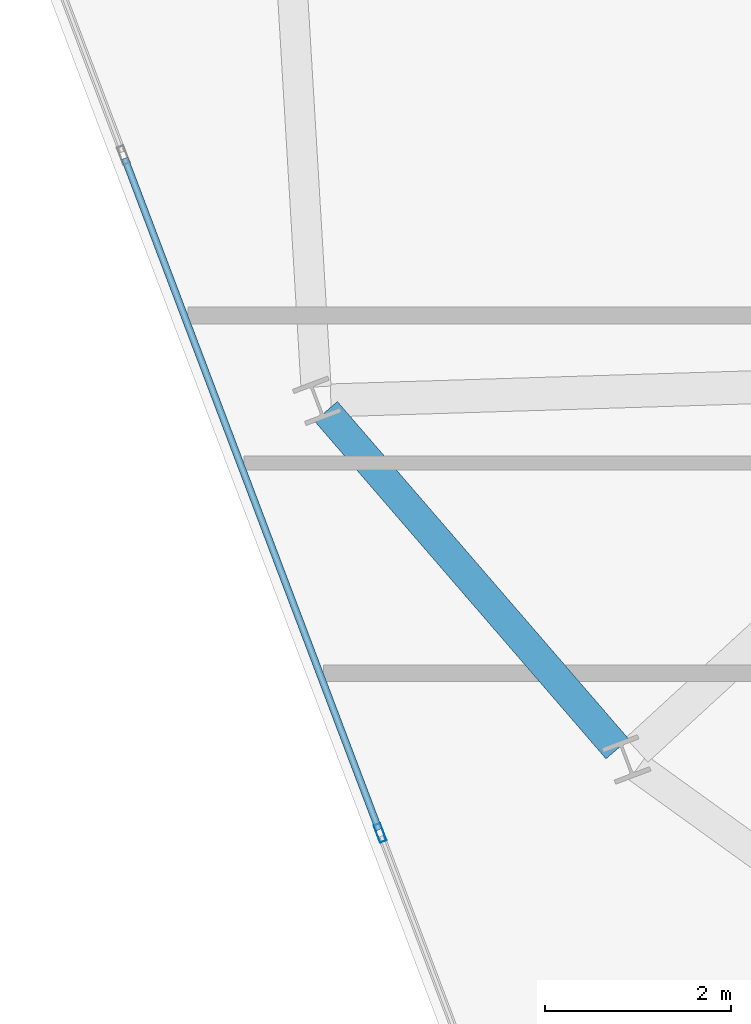
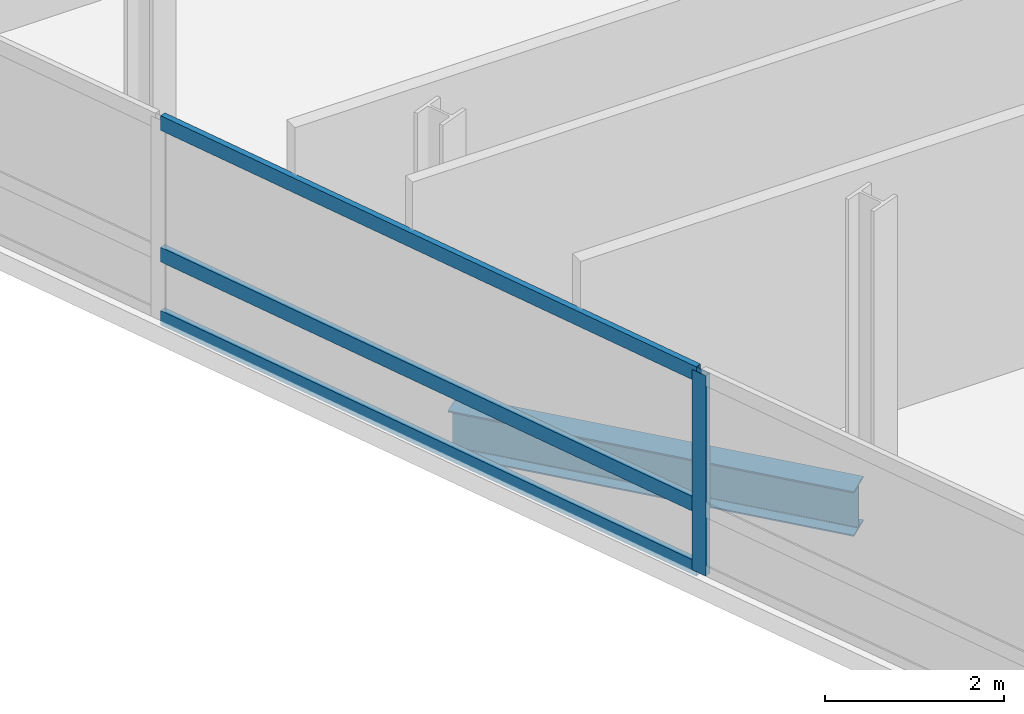
# One storey, part 5 of 19: 4 members, 1 beam, 1 element without a shape of its own.
"""IFC4 building model written with IfcOpenShell, lengths in metres."""

import ifcopenshell
import ifcopenshell.guid

model = None  # the IFC model being written
_history = None  # IfcOwnerHistory: only IFC2X3 demands one
_inside = {}  # id of a spatial element -> (the spatial element, [elements in it])
_under = {}  # id of a project, library or spatial element -> (it, [spatial elements below it])
_declared = {}  # id of a project -> (the project, [libraries it declares])
_typed = {}  # id of a type object -> (the type object, [elements of that type])
_made_of = {}  # id of a material, layer set ... -> (it, [elements and type objects made of it])


def new_model(schema):
    """Start an empty IFC model of exactly this schema.

    Asked for "IFC4X3", IfcOpenShell would pick the latest addendum, in which some entities
    have other attributes; the version numbers below select the first issue.
    IFC2X3 requires an IfcOwnerHistory on every rooted entity: one is made here for all.
    """
    global model, _history
    if schema == "IFC4X3":
        model = ifcopenshell.file(schema_version=(4, 3, 0, 0))
    else:
        model = ifcopenshell.file(schema=schema)
    _inside.clear()
    _under.clear()
    _declared.clear()
    _typed.clear()
    _made_of.clear()
    _history = None
    if model.schema == "IFC2X3":
        org = make("IfcOrganization", Name="unknown")
        user = make(
            "IfcPersonAndOrganization",
            ThePerson=make("IfcPerson", FamilyName="unknown"),
            TheOrganization=org,
        )
        app = make(
            "IfcApplication",
            ApplicationDeveloper=org,
            Version="unknown",
            ApplicationFullName="unknown",
            ApplicationIdentifier="unknown",
        )
        _history = make(
            "IfcOwnerHistory",
            OwningUser=user,
            OwningApplication=app,
            ChangeAction="ADDED",
            CreationDate=0,
        )
    return model


def make(cls, **values):
    """One entity of the class cls with the attributes given. An attribute that is None is left unset."""
    return model.create_entity(
        cls, **{name: value for name, value in values.items() if value is not None}
    )


def rooted(cls, **values):
    """An entity with a GlobalId (a new one), such as an element, a storey or a relation."""
    return make(cls, GlobalId=ifcopenshell.guid.new(), OwnerHistory=_history, **values)


def si_unit(unit_type, name, prefix=None):
    """IfcSIUnit, for example si_unit("LENGTHUNIT", "METRE", prefix="MILLI")."""
    return make("IfcSIUnit", UnitType=unit_type, Prefix=prefix, Name=name)


def assignment(units):
    """IfcUnitAssignment: the units of a project."""
    return None if units is None else make("IfcUnitAssignment", Units=units)


def point(xyz):
    """IfcCartesianPoint."""
    return None if xyz is None else make("IfcCartesianPoint", Coordinates=xyz)


def direction(xyz):
    """IfcDirection."""
    return None if xyz is None else make("IfcDirection", DirectionRatios=xyz)


def frame(location, z_axis=None, x_axis=None):
    """IfcAxis2Placement3D, a coordinate frame: its origin and axes. An axis left out is left unset."""
    return make(
        "IfcAxis2Placement3D",
        Location=point(location),
        Axis=direction(z_axis),
        RefDirection=direction(x_axis),
    )


def frame_2d(location, x_axis=None):
    """IfcAxis2Placement2D, a coordinate frame in the plane: its origin and x axis."""
    return make(
        "IfcAxis2Placement2D", Location=point(location), RefDirection=direction(x_axis)
    )


def origin():
    """The frame at (0, 0, 0) with its axes left unset."""
    return frame((0.0, 0.0, 0.0))


def origin_2d():
    """The frame at (0, 0) in the plane with its x axis left unset."""
    return frame_2d((0.0, 0.0))


def place(relative_to, where):
    """IfcLocalPlacement: puts the frame where relative to a parent placement (None: the world)."""
    return make(
        "IfcLocalPlacement", PlacementRelTo=relative_to, RelativePlacement=where
    )


def context(
    kind, dimensions, precision=None, world=None, true_north=None, identifier=None
):
    """IfcGeometricRepresentationContext, for example the 3D "Model" context."""
    return make(
        "IfcGeometricRepresentationContext",
        ContextIdentifier=identifier,
        ContextType=kind,
        CoordinateSpaceDimension=dimensions,
        Precision=precision,
        WorldCoordinateSystem=world,
        TrueNorth=true_north,
    )


def subcontext(parent, identifier, kind, view, scale=None):
    """IfcGeometricRepresentationSubContext, for example "Body" below "Model"."""
    return make(
        "IfcGeometricRepresentationSubContext",
        ContextIdentifier=identifier,
        ContextType=kind,
        ParentContext=parent,
        TargetScale=scale,
        TargetView=view,
    )


def project(units=None, contexts=None):
    """IfcProject with its units and contexts."""
    return rooted(
        "IfcProject",
        Name="project",
        RepresentationContexts=contexts,
        UnitsInContext=assignment(units),
    )


def spatial(cls, under=None, at=None, **own):
    """A site, building, storey or space (cls), placed at a placement, below another one or the project."""
    s = rooted(cls, ObjectPlacement=at, **own)
    if under is not None:
        _under.setdefault(under.id(), (under, []))[1].append(s)
    return s


def profile(cls, at=None, kind="AREA", **sizes):
    """A parametric profile (cls). Its sizes go by their IFC names, for example OverallWidth=200.0."""
    return make(cls, ProfileType=kind, Position=at, **sizes)


def hollow_rectangle(**sizes):
    """IfcRectangleHollowProfileDef."""
    return profile("IfcRectangleHollowProfileDef", **sizes)


def i_section(**sizes):
    """IfcIShapeProfileDef."""
    return profile("IfcIShapeProfileDef", **sizes)


def extrude(swept, where, along, depth):
    """IfcExtrudedAreaSolid: the profile swept, set in the frame where, extruded along a direction by depth."""
    return make(
        "IfcExtrudedAreaSolid",
        SweptArea=swept,
        Position=where,
        ExtrudedDirection=direction(along),
        Depth=depth,
    )


def shape(context_of_items, identifier, shape_type, items):
    """IfcShapeRepresentation: the items that make up one representation, for example the "Body"."""
    return make(
        "IfcShapeRepresentation",
        ContextOfItems=context_of_items,
        RepresentationIdentifier=identifier,
        RepresentationType=shape_type,
        Items=items,
    )


def material(Name=None, Category=None):
    """IfcMaterial."""
    return make("IfcMaterial", Name=Name, Category=Category)


def layer(
    of_material, thickness, ventilated=None, Name=None, Category=None, Priority=None
):
    """IfcMaterialLayer: one layer of a wall or slab, of a material (None: an air gap)."""
    return make(
        "IfcMaterialLayer",
        Material=of_material,
        LayerThickness=thickness,
        IsVentilated=ventilated,
        Name=Name,
        Category=Category,
        Priority=Priority,
    )


def layer_set(layers, Name=None):
    """IfcMaterialLayerSet."""
    return make("IfcMaterialLayerSet", MaterialLayers=layers, LayerSetName=Name)


def material_profile(
    of_material, cross_section, Name=None, Category=None, Priority=None
):
    """IfcMaterialProfile: a cross section and its material."""
    return make(
        "IfcMaterialProfile",
        Name=Name,
        Material=of_material,
        Profile=cross_section,
        Priority=Priority,
        Category=Category,
    )


def profile_set(profiles, Name=None, composite=None):
    """IfcMaterialProfileSet."""
    return make(
        "IfcMaterialProfileSet",
        Name=Name,
        MaterialProfiles=profiles,
        CompositeProfile=composite,
    )


def made_of(thing, what):
    """Note that an element or type object is made of a material, layer set ...; save() writes the relation."""
    if what is not None:
        _made_of.setdefault(what.id(), (what, []))[1].append(thing)
    return thing


def type_object(cls, material=None, **own):
    """A type object (cls), such as IfcWallType, which elements share."""
    return made_of(rooted(cls, **own), material)


def element(
    cls,
    number,
    at=None,
    inside=None,
    cuts=None,
    type_object=None,
    material=None,
    context=None,
    identifier="Body",
    shape_type=None,
    held_by="IfcProductDefinitionShape",
    body=None,
    shapes=None,
    **own,
):
    """One element of the class cls, such as IfcWall. Its Tag is "e" and its number.

    at: its placement. inside: the storey or other place that contains it. cuts: it is an
    opening in that element (IfcRelVoidsElement). A single representation is given by context,
    identifier, shape_type and body (its items); several are given by shapes. held_by: the class
    of the entity that holds the representations. save() writes the other relations.
    """
    e = rooted(cls, Tag="e%d" % number, ObjectPlacement=at, **own)
    if body is not None:
        shapes = [shape(context, identifier, shape_type, body)]
    if shapes is not None:
        e.Representation = make(held_by, Representations=shapes)
    if inside is not None:
        _inside.setdefault(inside.id(), (inside, []))[1].append(e)
    if cuts is not None:
        rooted(
            "IfcRelVoidsElement", RelatingBuildingElement=cuts, RelatedOpeningElement=e
        )
    if type_object is not None:
        _typed.setdefault(type_object.id(), (type_object, []))[1].append(e)
    return made_of(e, material)


def aggregate(whole, parts):
    """IfcRelAggregates: a whole, such as a stair, and the parts it consists of."""
    return rooted("IfcRelAggregates", RelatingObject=whole, RelatedObjects=parts)


def save(model, path):
    """Write the relations noted so far, then the file.

    IfcRelAggregates (storeys below a building ...), IfcRelContainedInSpatialStructure (elements
    in a storey), IfcRelDefinesByType, IfcRelAssociatesMaterial and IfcRelDeclares: one each for
    every whole, place, type object, material and project.
    """
    for whole, parts in _under.values():
        aggregate(whole, parts)
    for where, things in _inside.values():
        rooted(
            "IfcRelContainedInSpatialStructure",
            RelatedElements=things,
            RelatingStructure=where,
        )
    for kind, things in _typed.values():
        rooted("IfcRelDefinesByType", RelatedObjects=things, RelatingType=kind)
    for what, things in _made_of.values():
        rooted("IfcRelAssociatesMaterial", RelatedObjects=things, RelatingMaterial=what)
    for by, libraries in _declared.values():
        rooted("IfcRelDeclares", RelatingContext=by, RelatedDefinitions=libraries)
    model.write(path)


model = new_model("IFC4")

# Units and contexts
model_context = context("Model", 3, precision=1e-05, world=origin(), true_north=direction((0.0, 1.0)))
body_context = subcontext(model_context, "Body", "Model", "MODEL_VIEW")
ifc_project = project(units=[si_unit("LENGTHUNIT", "METRE"), si_unit("AREAUNIT", "SQUARE_METRE"), si_unit("VOLUMEUNIT", "CUBIC_METRE"), si_unit("PLANEANGLEUNIT", "RADIAN"), si_unit("MASSUNIT", "GRAM", prefix="KILO")], contexts=[model_context])

# Site, building, storey
site_placement = place(None, origin())
site = spatial("IfcSite", under=ifc_project, at=site_placement, CompositionType="ELEMENT")
building_placement = place(site_placement, origin())
building = spatial("IfcBuilding", under=site, at=building_placement, Name="Varnelok Gate Tower", CompositionType="ELEMENT")
storey_placement = place(building_placement, frame((0.0, 0.0, 246.0)))
storey = spatial("IfcBuildingStorey", under=building, at=storey_placement, Name="L63", CompositionType="ELEMENT", Elevation=246.0)

# Beam
ifc_material_1 = material(Name="Structural Steel ASTM A992 Grade 50", Category="steel")
ifc_material_profile_1 = material_profile(ifc_material_1, i_section(OverallWidth=0.323974609375, OverallDepth=0.611083984375, WebThickness=0.0126953125, FlangeThickness=0.01904296875, FilletRadius=0.01806640625, at=origin_2d()), Name="W24X104")
ifc_profile_set_1 = profile_set([ifc_material_profile_1], Name="Structural Steel ASTM A992 Grade 50")
beam_type = type_object("IfcBeamType", Name="BM-SPN-W24X104", PredefinedType="SPANDREL", material=ifc_profile_set_1)
beam_placement = place(storey_placement, frame((7.79248046875, 18.1669921875, -0.555419921875), z_axis=(0.653484787698, -0.756939649013, 0.0), x_axis=(0.756939649013, 0.653484787698, 0.0)))
element("IfcBeam", 1, at=beam_placement, inside=storey, type_object=beam_type, Name="L63 Perimeter Spandrel Beam 15", PredefinedType="SPANDREL", context=body_context, shape_type="SweptSolid", body=[
    extrude(i_section(OverallWidth=0.323974609375, OverallDepth=0.611083984375, WebThickness=0.0126953125, FlangeThickness=0.01904296875, FilletRadius=0.01806640625, at=origin_2d()), origin(), (0.0, 0.0, 1.0), 4.800048828125),
])

# Curtain wall, members
ifc_material_2 = material(Name="Anodized Aluminum Alloy 6063-T6", Category="aluminium")
ifc_layer = layer(ifc_material_2, 0.179931640625)
ifc_layer_set = layer_set([ifc_layer], Name="Anodized Aluminum Alloy 6063-T6")
curtain_wall_type = type_object("IfcCurtainWallType", Name="CW4-RESIDENCE-VISION", PredefinedType="USERDEFINED", material=ifc_layer_set)
curtain_wall_placement = place(storey_placement, origin())
curtain_wall = element("IfcCurtainWall", 2, at=curtain_wall_placement, inside=storey, type_object=curtain_wall_type, Name="L63 West End Vision Curtain Wall", ObjectType="UNITISED CURTAIN WALL", PredefinedType="USERDEFINED")
ifc_material_profile_2 = material_profile(ifc_material_2, hollow_rectangle(XDim=0.074951171875, YDim=0.199951171875, WallThickness=0.00390625, at=origin_2d()), Name="ALU200X75X4")
ifc_profile_set_2 = profile_set([ifc_material_profile_2], Name="Anodized Aluminum Alloy 6063-T6")
member_type_1 = type_object("IfcMemberType", Name="CW-MULL-200", PredefinedType="MULLION", material=ifc_profile_set_2)
member_1_placement = place(storey_placement, frame((8.375, 13.630126953125, 0.0), z_axis=(0.0, 0.0, 1.0), x_axis=(-0.935221557832, -0.354063042079, 0.0)))
member_1 = element("IfcMember", 3, at=member_1_placement, type_object=member_type_1, Name="CW4 mullion 3", PredefinedType="MULLION", context=body_context, shape_type="SweptSolid", body=[
    extrude(hollow_rectangle(XDim=0.074951171875, YDim=0.199951171875, WallThickness=0.00390625, at=origin_2d()), origin(), (0.0, 0.0, 1.0), 2.72998046875),
])
ifc_material_profile_3 = material_profile(ifc_material_2, hollow_rectangle(XDim=0.074951171875, YDim=0.199951171875, WallThickness=0.00390625, at=origin_2d()), Name="ALU200X75X4")
ifc_profile_set_3 = profile_set([ifc_material_profile_3], Name="Anodized Aluminum Alloy 6063-T6")
member_type_2 = type_object("IfcMemberType", Name="CW-TRAN-200", PredefinedType="USERDEFINED", material=ifc_profile_set_3)
member_2_placement = place(storey_placement, frame((8.36181640625, 13.665283203125, 0.03759765625), z_axis=(-0.354058714128, 0.935223196328, 0.0), x_axis=(-0.935223196328, -0.354058714128, 0.0)))
member_2 = element("IfcMember", 4, at=member_2_placement, type_object=member_type_2, Name="CW4 transom 3.1", ObjectType="TRANSOM", PredefinedType="USERDEFINED", context=body_context, shape_type="SweptSolid", body=[
    extrude(hollow_rectangle(XDim=0.074951171875, YDim=0.199951171875, WallThickness=0.00390625, at=origin_2d()), origin(), (0.0, 0.0, 1.0), 7.72509765625),
])
member_3_placement = place(storey_placement, frame((8.36181640625, 13.665283203125, 0.89990234375), z_axis=(-0.354058714128, 0.935223196328, 0.0), x_axis=(-0.935223196328, -0.354058714128, 0.0)))
member_3 = element("IfcMember", 5, at=member_3_placement, type_object=member_type_2, Name="CW4 transom 3.2", ObjectType="TRANSOM", PredefinedType="USERDEFINED", context=body_context, shape_type="SweptSolid", body=[
    extrude(hollow_rectangle(XDim=0.074951171875, YDim=0.199951171875, WallThickness=0.00390625, at=origin_2d()), origin(), (0.0, 0.0, 1.0), 7.72509765625),
])
member_4_placement = place(storey_placement, frame((8.36181640625, 13.665283203125, 2.6923828125), z_axis=(-0.354058714128, 0.935223196328, 0.0), x_axis=(-0.935223196328, -0.354058714128, 0.0)))
member_4 = element("IfcMember", 6, at=member_4_placement, type_object=member_type_2, Name="CW4 transom 3.3", ObjectType="TRANSOM", PredefinedType="USERDEFINED", context=body_context, shape_type="SweptSolid", body=[
    extrude(hollow_rectangle(XDim=0.074951171875, YDim=0.199951171875, WallThickness=0.00390625, at=origin_2d()), origin(), (0.0, 0.0, 1.0), 7.72509765625),
])
aggregate(curtain_wall, [member_1, member_2, member_3, member_4])

save(model, "model.ifc")
